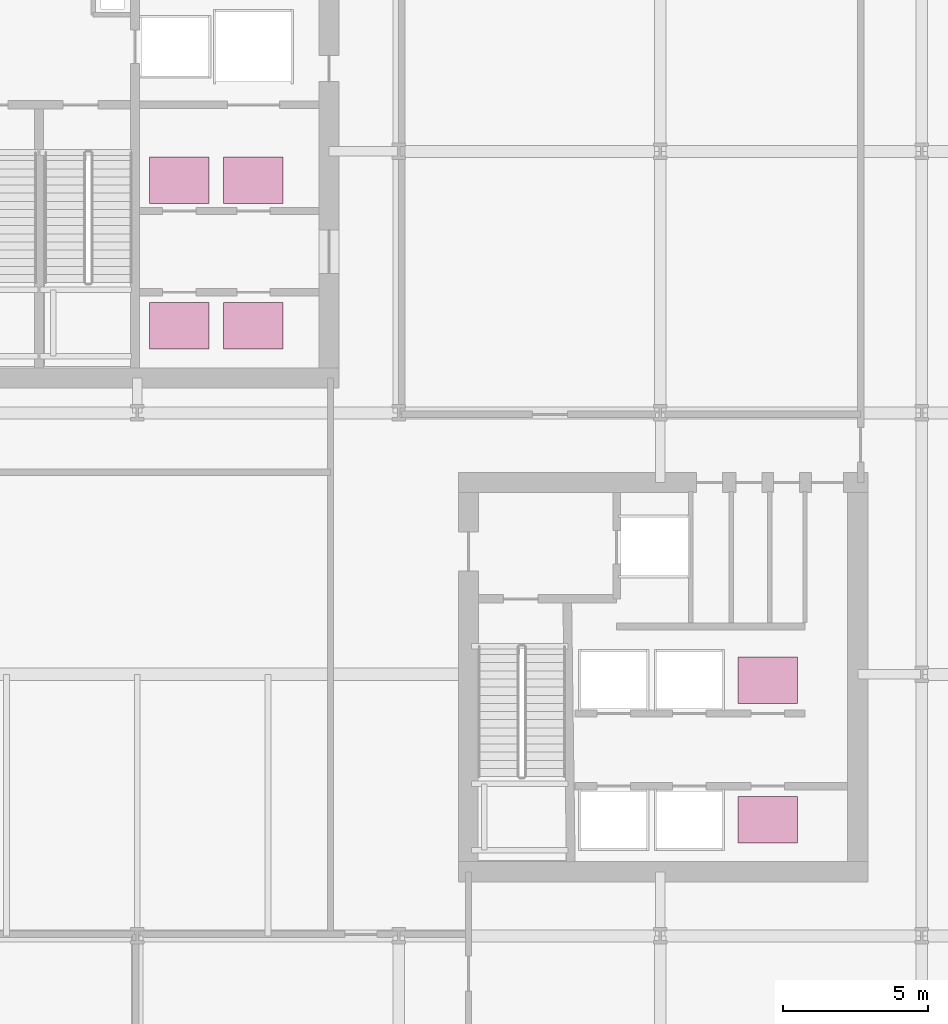
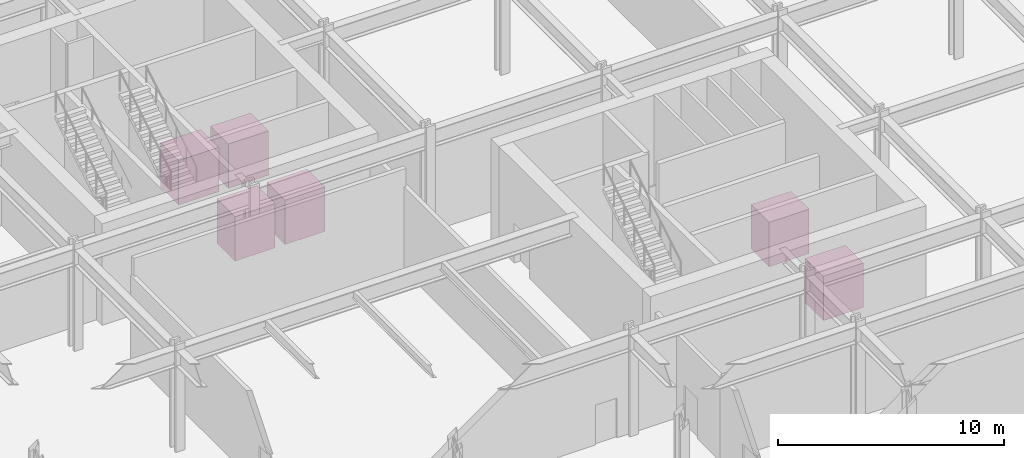
# One storey, part 19 of 19: 6 transport elements.
"""IFC4 building model written with IfcOpenShell, lengths in metres."""

from ifc_helpers import new_model, si_unit, direction, frame, origin, origin_2d, place, context, subcontext, project, spatial, rectangle, extrude, material, type_object, element, save


model = new_model("IFC4")

# Units and contexts
model_context = context("Model", 3, precision=1e-05, world=origin(), true_north=direction((0.0, 1.0)))
body_context = subcontext(model_context, "Body", "Model", "MODEL_VIEW")
ifc_project = project(units=[si_unit("LENGTHUNIT", "METRE"), si_unit("AREAUNIT", "SQUARE_METRE"), si_unit("VOLUMEUNIT", "CUBIC_METRE"), si_unit("PLANEANGLEUNIT", "RADIAN"), si_unit("MASSUNIT", "GRAM", prefix="KILO")], contexts=[model_context])

# Site, building, storey
site_placement = place(None, origin())
site = spatial("IfcSite", under=ifc_project, at=site_placement, CompositionType="ELEMENT")
building_placement = place(site_placement, origin())
building = spatial("IfcBuilding", under=site, at=building_placement, Name="Solvaryn Broadcast Tower", CompositionType="ELEMENT")
storey_placement = place(building_placement, origin())
storey = spatial("IfcBuildingStorey", under=building, at=storey_placement, Name="L00", CompositionType="ELEMENT", Elevation=0.0)

# Transport elements
ifc_material = material(Name="Stainless Steel High-Speed Passenger Elevator Car", Category="steel")
transport_element_type = type_object("IfcTransportElementType", Name="LF-PASS-2050X1600", PredefinedType="ELEVATOR", material=ifc_material)
for number, where, z_axis, x_axis, name in (
    (1, (19.449951171875, 30.0, 0.0), (0.0, 0.0, 1.0), (1.0, 0.0, 0.0), "Elevator PH1"),
    (2, (22.0, 30.0, 0.0), (0.0, 0.0, 1.0), (1.0, 0.0, 0.0), "Elevator PH2"),
    (3, (19.449951171875, 35.0, 0.0), (0.0, 0.0, 1.0), (1.0, 0.0, 0.0), "Elevator PH3"),
    (4, (22.0, 35.0, 0.0), (0.0, 0.0, 1.0), (1.0, 0.0, 0.0), "Elevator PH4"),
    (5, (39.699951171875, 13.0, 0.0), (0.0, 0.0, 1.0), (1.0, 0.0, 0.0), "Elevator PM1"),
    (6, (39.699951171875, 17.800048828125, 0.0), (0.0, 0.0, 1.0), (1.0, 0.0, 0.0), "Elevator PM2"),
):
    element("IfcTransportElement", number, at=place(storey_placement, frame(where, z_axis=z_axis, x_axis=x_axis)), inside=storey, type_object=transport_element_type, Name=name, PredefinedType="ELEVATOR", context=body_context, shape_type="SweptSolid", body=[
        extrude(rectangle(XDim=2.050048828125, YDim=1.60009765625, at=origin_2d()), origin(), (0.0, 0.0, 1.0), 2.39990234375),
    ])

save(model, "model.ifc")
